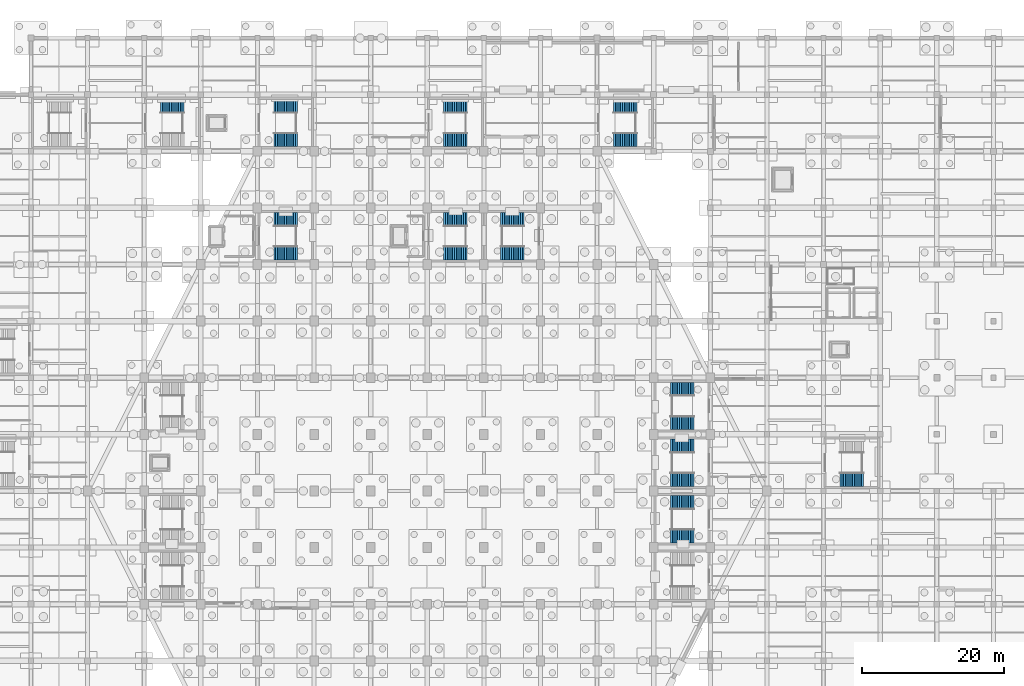
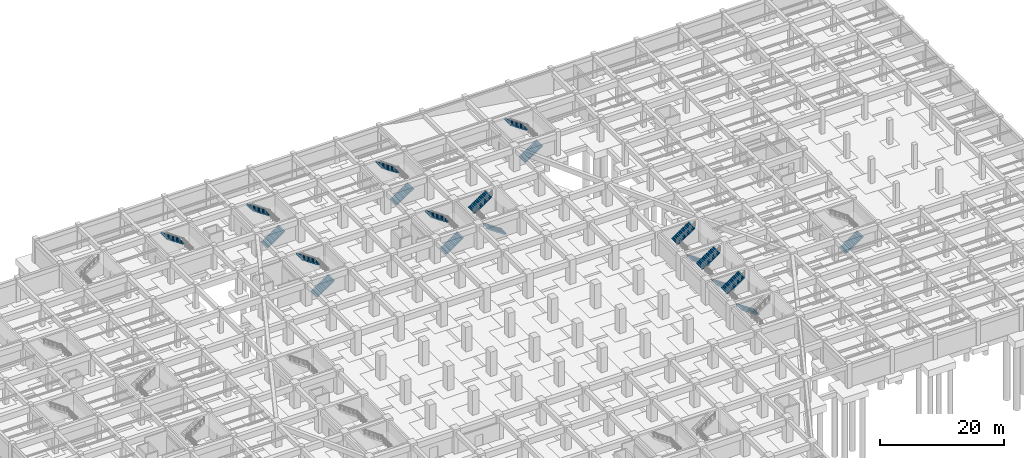
# One storey, part 32 of 36: 20 stair flights, 11 elements without a shape of their own.
"""IFC4 building model written with IfcOpenShell, lengths in metres."""

from ifc_helpers import new_model, si_unit, direction, frame, origin, place, context, subcontext, project, spatial, polyline, outline, extrude, material, type_object, element, aggregate, save


model = new_model("IFC4")

# Units and contexts
model_context = context("Model", 3, precision=1e-05, world=origin(), true_north=direction((0.0, 1.0)))
body_context = subcontext(model_context, "Body", "Model", "MODEL_VIEW")
ifc_project = project(units=[si_unit("LENGTHUNIT", "METRE"), si_unit("AREAUNIT", "SQUARE_METRE"), si_unit("VOLUMEUNIT", "CUBIC_METRE"), si_unit("PLANEANGLEUNIT", "RADIAN"), si_unit("MASSUNIT", "GRAM", prefix="KILO")], contexts=[model_context])

# Site, building, storey
site_placement = place(None, origin())
site = spatial("IfcSite", under=ifc_project, at=site_placement, CompositionType="ELEMENT")
building_placement = place(site_placement, origin())
building = spatial("IfcBuilding", under=site, at=building_placement, Name="Tazarka Park Arena", CompositionType="ELEMENT")
storey_placement = place(building_placement, frame((0.0, 0.0, -4.800048828125)))
storey = spatial("IfcBuildingStorey", under=building, at=storey_placement, Name="B1", CompositionType="ELEMENT", Elevation=-4.800048828125)

# Stair, stair flight
ifc_material_1 = material(Name="Precast concrete C40/50", Category="concrete")
stair_type_1 = type_object("IfcStairType", Name="STR-2400", PredefinedType="HALF_TURN_STAIR", material=ifc_material_1)
stair_1_placement = place(storey_placement, origin())
stair_1 = element("IfcStair", 1, at=stair_1_placement, inside=storey, type_object=stair_type_1, Name="Stair ST05 B1", PredefinedType="HALF_TURN_STAIR")
ifc_material_2 = material(Name="Precast concrete C40/50", Category="concrete")
stair_flight_type_1 = type_object("IfcStairFlightType", Name="FLT-1350", PredefinedType="STRAIGHT", material=ifc_material_2)
stair_flight_1_placement = place(storey_placement, frame((53.6298828125, 118.3701171875, 2.400146484375), z_axis=(0.0, 0.0, 1.0), x_axis=(-1.0, 0.0, 0.0)))
stair_flight_1 = element("IfcStairFlight", 2, at=stair_flight_1_placement, type_object=stair_flight_type_1, Name="ST05-B1 flight 2", NumberOfRisers=14, NumberOfTreads=13, PredefinedType="STRAIGHT", RiserHeight=0.171429, TreadLength=0.255, context=body_context, shape_type="SweptSolid", body=[
    extrude(outline(polyline([(0.0, 0.0), (0.0, 0.17138671875), (0.2548828125, 0.17138671875), (0.2548828125, 0.3427734375), (0.510009765625, 0.3427734375), (0.510009765625, 0.514404296875), (0.764892578125, 0.514404296875), (0.764892578125, 0.685791015625), (1.02001953125, 0.685791015625), (1.02001953125, 0.857177734375), (1.27490234375, 0.857177734375), (1.27490234375, 1.028564453125), (1.530029296875, 1.028564453125), (1.530029296875, 1.199951171875), (1.784912109375, 1.199951171875), (1.784912109375, 1.371337890625), (2.0400390625, 1.371337890625), (2.0400390625, 1.54296875), (2.294921875, 1.54296875), (2.294921875, 1.71435546875), (2.550048828125, 1.71435546875), (2.550048828125, 1.8857421875), (2.804931640625, 1.8857421875), (2.804931640625, 2.05712890625), (3.06005859375, 2.05712890625), (3.06005859375, 2.228515625), (3.31494140625, 2.228515625), (3.31494140625, 2.39990234375), (3.31494140625, 2.01171875), (0.322509765625, 0.0), (0.0, 0.0)])), frame((0.0, 0.969970703125, 0.0), z_axis=(0.0, -1.0, 0.0), x_axis=(1.0, 0.0, 0.0)), (0.0, 0.0, 1.0), 1.93994140625),
])
aggregate(stair_1, [stair_flight_1])

# Stair, stair flights
stair_2_placement = place(storey_placement, origin())
stair_2 = element("IfcStair", 3, at=stair_2_placement, inside=storey, type_object=stair_type_1, Name="Stair ST06 B1", PredefinedType="HALF_TURN_STAIR")
stair_flight_2_placement = place(storey_placement, frame((66.31494140625, 113.6298828125, 0.0), z_axis=(0.0, 0.0, 1.0), x_axis=(1.0, 0.0, 0.0)))
stair_flight_2 = element("IfcStairFlight", 4, at=stair_flight_2_placement, type_object=stair_flight_type_1, Name="ST06-B1 flight 1", NumberOfRisers=14, NumberOfTreads=13, PredefinedType="STRAIGHT", RiserHeight=0.171429, TreadLength=0.255, context=body_context, shape_type="SweptSolid", body=[
    extrude(outline(polyline([(0.0, 0.0), (0.0, 0.17138671875), (0.2548828125, 0.17138671875), (0.2548828125, 0.3427734375), (0.510009765625, 0.3427734375), (0.510009765625, 0.514404296875), (0.764892578125, 0.514404296875), (0.764892578125, 0.685791015625), (1.02001953125, 0.685791015625), (1.02001953125, 0.857177734375), (1.27490234375, 0.857177734375), (1.27490234375, 1.028564453125), (1.530029296875, 1.028564453125), (1.530029296875, 1.199951171875), (1.784912109375, 1.199951171875), (1.784912109375, 1.371337890625), (2.0400390625, 1.371337890625), (2.0400390625, 1.54296875), (2.294921875, 1.54296875), (2.294921875, 1.71435546875), (2.550048828125, 1.71435546875), (2.550048828125, 1.8857421875), (2.804931640625, 1.8857421875), (2.804931640625, 2.05712890625), (3.06005859375, 2.05712890625), (3.06005859375, 2.228515625), (3.31494140625, 2.228515625), (3.31494140625, 2.39990234375), (3.31494140625, 2.01171875), (0.322509765625, 0.0), (0.0, 0.0)])), frame((0.0, 0.969970703125, 0.0), z_axis=(0.0, -1.0, 0.0), x_axis=(1.0, 0.0, 0.0)), (0.0, 0.0, 1.0), 1.93994140625),
])
stair_flight_3_placement = place(storey_placement, frame((69.6298828125, 118.3701171875, 2.400146484375), z_axis=(0.0, 0.0, 1.0), x_axis=(-1.0, 0.0, 0.0)))
stair_flight_3 = element("IfcStairFlight", 5, at=stair_flight_3_placement, type_object=stair_flight_type_1, Name="ST06-B1 flight 2", NumberOfRisers=14, NumberOfTreads=13, PredefinedType="STRAIGHT", RiserHeight=0.171429, TreadLength=0.255, context=body_context, shape_type="SweptSolid", body=[
    extrude(outline(polyline([(0.0, 0.0), (0.0, 0.17138671875), (0.2548828125, 0.17138671875), (0.2548828125, 0.3427734375), (0.510009765625, 0.3427734375), (0.510009765625, 0.514404296875), (0.764892578125, 0.514404296875), (0.764892578125, 0.685791015625), (1.02001953125, 0.685791015625), (1.02001953125, 0.857177734375), (1.27490234375, 0.857177734375), (1.27490234375, 1.028564453125), (1.530029296875, 1.028564453125), (1.530029296875, 1.199951171875), (1.784912109375, 1.199951171875), (1.784912109375, 1.371337890625), (2.0400390625, 1.371337890625), (2.0400390625, 1.54296875), (2.294921875, 1.54296875), (2.294921875, 1.71435546875), (2.550048828125, 1.71435546875), (2.550048828125, 1.8857421875), (2.804931640625, 1.8857421875), (2.804931640625, 2.05712890625), (3.06005859375, 2.05712890625), (3.06005859375, 2.228515625), (3.31494140625, 2.228515625), (3.31494140625, 2.39990234375), (3.31494140625, 2.01171875), (0.322509765625, 0.0), (0.0, 0.0)])), frame((0.0, 0.969970703125, 0.0), z_axis=(0.0, -1.0, 0.0), x_axis=(1.0, 0.0, 0.0)), (0.0, 0.0, 1.0), 1.93994140625),
])
aggregate(stair_2, [stair_flight_2, stair_flight_3])

stair_3_placement = place(storey_placement, origin())
stair_3 = element("IfcStair", 6, at=stair_3_placement, inside=storey, type_object=stair_type_1, Name="Stair ST07 B1", PredefinedType="HALF_TURN_STAIR")
stair_flight_4_placement = place(storey_placement, frame((90.31494140625, 113.6298828125, 0.0), z_axis=(0.0, 0.0, 1.0), x_axis=(1.0, 0.0, 0.0)))
stair_flight_4 = element("IfcStairFlight", 7, at=stair_flight_4_placement, type_object=stair_flight_type_1, Name="ST07-B1 flight 1", NumberOfRisers=14, NumberOfTreads=13, PredefinedType="STRAIGHT", RiserHeight=0.171429, TreadLength=0.255, context=body_context, shape_type="SweptSolid", body=[
    extrude(outline(polyline([(0.0, 0.0), (0.0, 0.17138671875), (0.2548828125, 0.17138671875), (0.2548828125, 0.3427734375), (0.510009765625, 0.3427734375), (0.510009765625, 0.514404296875), (0.764892578125, 0.514404296875), (0.764892578125, 0.685791015625), (1.02001953125, 0.685791015625), (1.02001953125, 0.857177734375), (1.27490234375, 0.857177734375), (1.27490234375, 1.028564453125), (1.530029296875, 1.028564453125), (1.530029296875, 1.199951171875), (1.784912109375, 1.199951171875), (1.784912109375, 1.371337890625), (2.0400390625, 1.371337890625), (2.0400390625, 1.54296875), (2.294921875, 1.54296875), (2.294921875, 1.71435546875), (2.550048828125, 1.71435546875), (2.550048828125, 1.8857421875), (2.804931640625, 1.8857421875), (2.804931640625, 2.05712890625), (3.06005859375, 2.05712890625), (3.06005859375, 2.228515625), (3.31494140625, 2.228515625), (3.31494140625, 2.39990234375), (3.31494140625, 2.01171875), (0.322509765625, 0.0), (0.0, 0.0)])), frame((0.0, 0.969970703125, 0.0), z_axis=(0.0, -1.0, 0.0), x_axis=(1.0, 0.0, 0.0)), (0.0, 0.0, 1.0), 1.93994140625),
])
stair_flight_5_placement = place(storey_placement, frame((93.6298828125, 118.3701171875, 2.400146484375), z_axis=(0.0, 0.0, 1.0), x_axis=(-1.0, 0.0, 0.0)))
stair_flight_5 = element("IfcStairFlight", 8, at=stair_flight_5_placement, type_object=stair_flight_type_1, Name="ST07-B1 flight 2", NumberOfRisers=14, NumberOfTreads=13, PredefinedType="STRAIGHT", RiserHeight=0.171429, TreadLength=0.255, context=body_context, shape_type="SweptSolid", body=[
    extrude(outline(polyline([(0.0, 0.0), (0.0, 0.17138671875), (0.2548828125, 0.17138671875), (0.2548828125, 0.3427734375), (0.510009765625, 0.3427734375), (0.510009765625, 0.514404296875), (0.764892578125, 0.514404296875), (0.764892578125, 0.685791015625), (1.02001953125, 0.685791015625), (1.02001953125, 0.857177734375), (1.27490234375, 0.857177734375), (1.27490234375, 1.028564453125), (1.530029296875, 1.028564453125), (1.530029296875, 1.199951171875), (1.784912109375, 1.199951171875), (1.784912109375, 1.371337890625), (2.0400390625, 1.371337890625), (2.0400390625, 1.54296875), (2.294921875, 1.54296875), (2.294921875, 1.71435546875), (2.550048828125, 1.71435546875), (2.550048828125, 1.8857421875), (2.804931640625, 1.8857421875), (2.804931640625, 2.05712890625), (3.06005859375, 2.05712890625), (3.06005859375, 2.228515625), (3.31494140625, 2.228515625), (3.31494140625, 2.39990234375), (3.31494140625, 2.01171875), (0.322509765625, 0.0), (0.0, 0.0)])), frame((0.0, 0.969970703125, 0.0), z_axis=(0.0, -1.0, 0.0), x_axis=(1.0, 0.0, 0.0)), (0.0, 0.0, 1.0), 1.93994140625),
])
aggregate(stair_3, [stair_flight_4, stair_flight_5])

stair_4_placement = place(storey_placement, origin())
stair_4 = element("IfcStair", 9, at=stair_4_placement, inside=storey, type_object=stair_type_1, Name="Stair ST08 B1", PredefinedType="HALF_TURN_STAIR")
stair_flight_6_placement = place(storey_placement, frame((114.31494140625, 113.6298828125, 0.0), z_axis=(0.0, 0.0, 1.0), x_axis=(1.0, 0.0, 0.0)))
stair_flight_6 = element("IfcStairFlight", 10, at=stair_flight_6_placement, type_object=stair_flight_type_1, Name="ST08-B1 flight 1", NumberOfRisers=14, NumberOfTreads=13, PredefinedType="STRAIGHT", RiserHeight=0.171429, TreadLength=0.255, context=body_context, shape_type="SweptSolid", body=[
    extrude(outline(polyline([(0.0, 0.0), (0.0, 0.17138671875), (0.2548828125, 0.17138671875), (0.2548828125, 0.3427734375), (0.510009765625, 0.3427734375), (0.510009765625, 0.514404296875), (0.764892578125, 0.514404296875), (0.764892578125, 0.685791015625), (1.02001953125, 0.685791015625), (1.02001953125, 0.857177734375), (1.27490234375, 0.857177734375), (1.27490234375, 1.028564453125), (1.530029296875, 1.028564453125), (1.530029296875, 1.199951171875), (1.784912109375, 1.199951171875), (1.784912109375, 1.371337890625), (2.0400390625, 1.371337890625), (2.0400390625, 1.54296875), (2.294921875, 1.54296875), (2.294921875, 1.71435546875), (2.550048828125, 1.71435546875), (2.550048828125, 1.8857421875), (2.804931640625, 1.8857421875), (2.804931640625, 2.05712890625), (3.06005859375, 2.05712890625), (3.06005859375, 2.228515625), (3.31494140625, 2.228515625), (3.31494140625, 2.39990234375), (3.31494140625, 2.01171875), (0.322509765625, 0.0), (0.0, 0.0)])), frame((0.0, 0.969970703125, 0.0), z_axis=(0.0, -1.0, 0.0), x_axis=(1.0, 0.0, 0.0)), (0.0, 0.0, 1.0), 1.93994140625),
])
stair_flight_7_placement = place(storey_placement, frame((117.6298828125, 118.3701171875, 2.400146484375), z_axis=(0.0, 0.0, 1.0), x_axis=(-1.0, 0.0, 0.0)))
stair_flight_7 = element("IfcStairFlight", 11, at=stair_flight_7_placement, type_object=stair_flight_type_1, Name="ST08-B1 flight 2", NumberOfRisers=14, NumberOfTreads=13, PredefinedType="STRAIGHT", RiserHeight=0.171429, TreadLength=0.255, context=body_context, shape_type="SweptSolid", body=[
    extrude(outline(polyline([(0.0, 0.0), (0.0, 0.17138671875), (0.2548828125, 0.17138671875), (0.2548828125, 0.3427734375), (0.510009765625, 0.3427734375), (0.510009765625, 0.514404296875), (0.764892578125, 0.514404296875), (0.764892578125, 0.685791015625), (1.02001953125, 0.685791015625), (1.02001953125, 0.857177734375), (1.27490234375, 0.857177734375), (1.27490234375, 1.028564453125), (1.530029296875, 1.028564453125), (1.530029296875, 1.199951171875), (1.784912109375, 1.199951171875), (1.784912109375, 1.371337890625), (2.0400390625, 1.371337890625), (2.0400390625, 1.54296875), (2.294921875, 1.54296875), (2.294921875, 1.71435546875), (2.550048828125, 1.71435546875), (2.550048828125, 1.8857421875), (2.804931640625, 1.8857421875), (2.804931640625, 2.05712890625), (3.06005859375, 2.05712890625), (3.06005859375, 2.228515625), (3.31494140625, 2.228515625), (3.31494140625, 2.39990234375), (3.31494140625, 2.01171875), (0.322509765625, 0.0), (0.0, 0.0)])), frame((0.0, 0.969970703125, 0.0), z_axis=(0.0, -1.0, 0.0), x_axis=(1.0, 0.0, 0.0)), (0.0, 0.0, 1.0), 1.93994140625),
])
aggregate(stair_4, [stair_flight_6, stair_flight_7])

stair_5_placement = place(storey_placement, origin())
stair_5 = element("IfcStair", 12, at=stair_5_placement, inside=storey, type_object=stair_type_1, Name="Stair ST10 B1", PredefinedType="HALF_TURN_STAIR")
stair_flight_8_placement = place(storey_placement, frame((101.68505859375, 97.6298828125, 0.0), z_axis=(0.0, 0.0, 1.0), x_axis=(-1.0, 0.0, 0.0)))
stair_flight_8 = element("IfcStairFlight", 13, at=stair_flight_8_placement, type_object=stair_flight_type_1, Name="ST10-B1 flight 1", NumberOfRisers=14, NumberOfTreads=13, PredefinedType="STRAIGHT", RiserHeight=0.171429, TreadLength=0.255, context=body_context, shape_type="SweptSolid", body=[
    extrude(outline(polyline([(0.0, 0.0), (0.0, 0.17138671875), (0.2548828125, 0.17138671875), (0.2548828125, 0.3427734375), (0.510009765625, 0.3427734375), (0.510009765625, 0.514404296875), (0.764892578125, 0.514404296875), (0.764892578125, 0.685791015625), (1.02001953125, 0.685791015625), (1.02001953125, 0.857177734375), (1.27490234375, 0.857177734375), (1.27490234375, 1.028564453125), (1.530029296875, 1.028564453125), (1.530029296875, 1.199951171875), (1.784912109375, 1.199951171875), (1.784912109375, 1.371337890625), (2.0400390625, 1.371337890625), (2.0400390625, 1.54296875), (2.294921875, 1.54296875), (2.294921875, 1.71435546875), (2.550048828125, 1.71435546875), (2.550048828125, 1.8857421875), (2.804931640625, 1.8857421875), (2.804931640625, 2.05712890625), (3.06005859375, 2.05712890625), (3.06005859375, 2.228515625), (3.31494140625, 2.228515625), (3.31494140625, 2.39990234375), (3.31494140625, 2.01171875), (0.322509765625, 0.0), (0.0, 0.0)])), frame((0.0, 0.969970703125, 0.0), z_axis=(0.0, -1.0, 0.0), x_axis=(1.0, 0.0, 0.0)), (0.0, 0.0, 1.0), 1.93994140625),
])
stair_flight_9_placement = place(storey_placement, frame((98.3701171875, 102.3701171875, 2.400146484375), z_axis=(0.0, 0.0, 1.0), x_axis=(1.0, 0.0, 0.0)))
stair_flight_9 = element("IfcStairFlight", 14, at=stair_flight_9_placement, type_object=stair_flight_type_1, Name="ST10-B1 flight 2", NumberOfRisers=14, NumberOfTreads=13, PredefinedType="STRAIGHT", RiserHeight=0.171429, TreadLength=0.255, context=body_context, shape_type="SweptSolid", body=[
    extrude(outline(polyline([(0.0, 0.0), (0.0, 0.17138671875), (0.2548828125, 0.17138671875), (0.2548828125, 0.3427734375), (0.510009765625, 0.3427734375), (0.510009765625, 0.514404296875), (0.764892578125, 0.514404296875), (0.764892578125, 0.685791015625), (1.02001953125, 0.685791015625), (1.02001953125, 0.857177734375), (1.27490234375, 0.857177734375), (1.27490234375, 1.028564453125), (1.530029296875, 1.028564453125), (1.530029296875, 1.199951171875), (1.784912109375, 1.199951171875), (1.784912109375, 1.371337890625), (2.0400390625, 1.371337890625), (2.0400390625, 1.54296875), (2.294921875, 1.54296875), (2.294921875, 1.71435546875), (2.550048828125, 1.71435546875), (2.550048828125, 1.8857421875), (2.804931640625, 1.8857421875), (2.804931640625, 2.05712890625), (3.06005859375, 2.05712890625), (3.06005859375, 2.228515625), (3.31494140625, 2.228515625), (3.31494140625, 2.39990234375), (3.31494140625, 2.01171875), (0.322509765625, 0.0), (0.0, 0.0)])), frame((0.0, 0.969970703125, 0.0), z_axis=(0.0, -1.0, 0.0), x_axis=(1.0, 0.0, 0.0)), (0.0, 0.0, 1.0), 1.93994140625),
])
aggregate(stair_5, [stair_flight_8, stair_flight_9])

stair_6_placement = place(storey_placement, origin())
stair_6 = element("IfcStair", 15, at=stair_6_placement, inside=storey, type_object=stair_type_1, Name="Stair ST12 B1", PredefinedType="HALF_TURN_STAIR")
stair_flight_10_placement = place(storey_placement, frame((125.68505859375, 57.6298828125, 0.0), z_axis=(0.0, 0.0, 1.0), x_axis=(-1.0, 0.0, 0.0)))
stair_flight_10 = element("IfcStairFlight", 16, at=stair_flight_10_placement, type_object=stair_flight_type_1, Name="ST12-B1 flight 1", NumberOfRisers=14, NumberOfTreads=13, PredefinedType="STRAIGHT", RiserHeight=0.171429, TreadLength=0.255, context=body_context, shape_type="SweptSolid", body=[
    extrude(outline(polyline([(0.0, 0.0), (0.0, 0.17138671875), (0.2548828125, 0.17138671875), (0.2548828125, 0.3427734375), (0.510009765625, 0.3427734375), (0.510009765625, 0.514404296875), (0.764892578125, 0.514404296875), (0.764892578125, 0.685791015625), (1.02001953125, 0.685791015625), (1.02001953125, 0.857177734375), (1.27490234375, 0.857177734375), (1.27490234375, 1.028564453125), (1.530029296875, 1.028564453125), (1.530029296875, 1.199951171875), (1.784912109375, 1.199951171875), (1.784912109375, 1.371337890625), (2.0400390625, 1.371337890625), (2.0400390625, 1.54296875), (2.294921875, 1.54296875), (2.294921875, 1.71435546875), (2.550048828125, 1.71435546875), (2.550048828125, 1.8857421875), (2.804931640625, 1.8857421875), (2.804931640625, 2.05712890625), (3.06005859375, 2.05712890625), (3.06005859375, 2.228515625), (3.31494140625, 2.228515625), (3.31494140625, 2.39990234375), (3.31494140625, 2.01171875), (0.322509765625, 0.0), (0.0, 0.0)])), frame((0.0, 0.969970703125, 0.0), z_axis=(0.0, -1.0, 0.0), x_axis=(1.0, 0.0, 0.0)), (0.0, 0.0, 1.0), 1.93994140625),
])
stair_flight_11_placement = place(storey_placement, frame((122.3701171875, 62.3701171875, 2.400146484375), z_axis=(0.0, 0.0, 1.0), x_axis=(1.0, 0.0, 0.0)))
stair_flight_11 = element("IfcStairFlight", 17, at=stair_flight_11_placement, type_object=stair_flight_type_1, Name="ST12-B1 flight 2", NumberOfRisers=14, NumberOfTreads=13, PredefinedType="STRAIGHT", RiserHeight=0.171429, TreadLength=0.255, context=body_context, shape_type="SweptSolid", body=[
    extrude(outline(polyline([(0.0, 0.0), (0.0, 0.17138671875), (0.2548828125, 0.17138671875), (0.2548828125, 0.3427734375), (0.510009765625, 0.3427734375), (0.510009765625, 0.514404296875), (0.764892578125, 0.514404296875), (0.764892578125, 0.685791015625), (1.02001953125, 0.685791015625), (1.02001953125, 0.857177734375), (1.27490234375, 0.857177734375), (1.27490234375, 1.028564453125), (1.530029296875, 1.028564453125), (1.530029296875, 1.199951171875), (1.784912109375, 1.199951171875), (1.784912109375, 1.371337890625), (2.0400390625, 1.371337890625), (2.0400390625, 1.54296875), (2.294921875, 1.54296875), (2.294921875, 1.71435546875), (2.550048828125, 1.71435546875), (2.550048828125, 1.8857421875), (2.804931640625, 1.8857421875), (2.804931640625, 2.05712890625), (3.06005859375, 2.05712890625), (3.06005859375, 2.228515625), (3.31494140625, 2.228515625), (3.31494140625, 2.39990234375), (3.31494140625, 2.01171875), (0.322509765625, 0.0), (0.0, 0.0)])), frame((0.0, 0.969970703125, 0.0), z_axis=(0.0, -1.0, 0.0), x_axis=(1.0, 0.0, 0.0)), (0.0, 0.0, 1.0), 1.93994140625),
])
aggregate(stair_6, [stair_flight_10, stair_flight_11])

stair_7_placement = place(storey_placement, origin())
stair_7 = element("IfcStair", 18, at=stair_7_placement, inside=storey, type_object=stair_type_1, Name="Stair ST14 B1", PredefinedType="HALF_TURN_STAIR")
stair_flight_12_placement = place(storey_placement, frame((66.31494140625, 97.6298828125, 0.0), z_axis=(0.0, 0.0, 1.0), x_axis=(1.0, 0.0, 0.0)))
stair_flight_12 = element("IfcStairFlight", 19, at=stair_flight_12_placement, type_object=stair_flight_type_1, Name="ST14-B1 flight 1", NumberOfRisers=14, NumberOfTreads=13, PredefinedType="STRAIGHT", RiserHeight=0.171429, TreadLength=0.255, context=body_context, shape_type="SweptSolid", body=[
    extrude(outline(polyline([(0.0, 0.0), (0.0, 0.17138671875), (0.2548828125, 0.17138671875), (0.2548828125, 0.3427734375), (0.510009765625, 0.3427734375), (0.510009765625, 0.514404296875), (0.764892578125, 0.514404296875), (0.764892578125, 0.685791015625), (1.02001953125, 0.685791015625), (1.02001953125, 0.857177734375), (1.27490234375, 0.857177734375), (1.27490234375, 1.028564453125), (1.530029296875, 1.028564453125), (1.530029296875, 1.199951171875), (1.784912109375, 1.199951171875), (1.784912109375, 1.371337890625), (2.0400390625, 1.371337890625), (2.0400390625, 1.54296875), (2.294921875, 1.54296875), (2.294921875, 1.71435546875), (2.550048828125, 1.71435546875), (2.550048828125, 1.8857421875), (2.804931640625, 1.8857421875), (2.804931640625, 2.05712890625), (3.06005859375, 2.05712890625), (3.06005859375, 2.228515625), (3.31494140625, 2.228515625), (3.31494140625, 2.39990234375), (3.31494140625, 2.01171875), (0.322509765625, 0.0), (0.0, 0.0)])), frame((0.0, 0.969970703125, 0.0), z_axis=(0.0, -1.0, 0.0), x_axis=(1.0, 0.0, 0.0)), (0.0, 0.0, 1.0), 1.93994140625),
])
stair_flight_13_placement = place(storey_placement, frame((69.6298828125, 102.3701171875, 2.400146484375), z_axis=(0.0, 0.0, 1.0), x_axis=(-1.0, 0.0, 0.0)))
stair_flight_13 = element("IfcStairFlight", 20, at=stair_flight_13_placement, type_object=stair_flight_type_1, Name="ST14-B1 flight 2", NumberOfRisers=14, NumberOfTreads=13, PredefinedType="STRAIGHT", RiserHeight=0.171429, TreadLength=0.255, context=body_context, shape_type="SweptSolid", body=[
    extrude(outline(polyline([(0.0, 0.0), (0.0, 0.17138671875), (0.2548828125, 0.17138671875), (0.2548828125, 0.3427734375), (0.510009765625, 0.3427734375), (0.510009765625, 0.514404296875), (0.764892578125, 0.514404296875), (0.764892578125, 0.685791015625), (1.02001953125, 0.685791015625), (1.02001953125, 0.857177734375), (1.27490234375, 0.857177734375), (1.27490234375, 1.028564453125), (1.530029296875, 1.028564453125), (1.530029296875, 1.199951171875), (1.784912109375, 1.199951171875), (1.784912109375, 1.371337890625), (2.0400390625, 1.371337890625), (2.0400390625, 1.54296875), (2.294921875, 1.54296875), (2.294921875, 1.71435546875), (2.550048828125, 1.71435546875), (2.550048828125, 1.8857421875), (2.804931640625, 1.8857421875), (2.804931640625, 2.05712890625), (3.06005859375, 2.05712890625), (3.06005859375, 2.228515625), (3.31494140625, 2.228515625), (3.31494140625, 2.39990234375), (3.31494140625, 2.01171875), (0.322509765625, 0.0), (0.0, 0.0)])), frame((0.0, 0.969970703125, 0.0), z_axis=(0.0, -1.0, 0.0), x_axis=(1.0, 0.0, 0.0)), (0.0, 0.0, 1.0), 1.93994140625),
])
aggregate(stair_7, [stair_flight_12, stair_flight_13])

stair_8_placement = place(storey_placement, origin())
stair_8 = element("IfcStair", 21, at=stair_8_placement, inside=storey, type_object=stair_type_1, Name="Stair ST15 B1", PredefinedType="HALF_TURN_STAIR")
stair_flight_14_placement = place(storey_placement, frame((90.31494140625, 97.6298828125, 0.0), z_axis=(0.0, 0.0, 1.0), x_axis=(1.0, 0.0, 0.0)))
stair_flight_14 = element("IfcStairFlight", 22, at=stair_flight_14_placement, type_object=stair_flight_type_1, Name="ST15-B1 flight 1", NumberOfRisers=14, NumberOfTreads=13, PredefinedType="STRAIGHT", RiserHeight=0.171429, TreadLength=0.255, context=body_context, shape_type="SweptSolid", body=[
    extrude(outline(polyline([(0.0, 0.0), (0.0, 0.17138671875), (0.2548828125, 0.17138671875), (0.2548828125, 0.3427734375), (0.510009765625, 0.3427734375), (0.510009765625, 0.514404296875), (0.764892578125, 0.514404296875), (0.764892578125, 0.685791015625), (1.02001953125, 0.685791015625), (1.02001953125, 0.857177734375), (1.27490234375, 0.857177734375), (1.27490234375, 1.028564453125), (1.530029296875, 1.028564453125), (1.530029296875, 1.199951171875), (1.784912109375, 1.199951171875), (1.784912109375, 1.371337890625), (2.0400390625, 1.371337890625), (2.0400390625, 1.54296875), (2.294921875, 1.54296875), (2.294921875, 1.71435546875), (2.550048828125, 1.71435546875), (2.550048828125, 1.8857421875), (2.804931640625, 1.8857421875), (2.804931640625, 2.05712890625), (3.06005859375, 2.05712890625), (3.06005859375, 2.228515625), (3.31494140625, 2.228515625), (3.31494140625, 2.39990234375), (3.31494140625, 2.01171875), (0.322509765625, 0.0), (0.0, 0.0)])), frame((0.0, 0.969970703125, 0.0), z_axis=(0.0, -1.0, 0.0), x_axis=(1.0, 0.0, 0.0)), (0.0, 0.0, 1.0), 1.93994140625),
])
stair_flight_15_placement = place(storey_placement, frame((93.6298828125, 102.3701171875, 2.400146484375), z_axis=(0.0, 0.0, 1.0), x_axis=(-1.0, 0.0, 0.0)))
stair_flight_15 = element("IfcStairFlight", 23, at=stair_flight_15_placement, type_object=stair_flight_type_1, Name="ST15-B1 flight 2", NumberOfRisers=14, NumberOfTreads=13, PredefinedType="STRAIGHT", RiserHeight=0.171429, TreadLength=0.255, context=body_context, shape_type="SweptSolid", body=[
    extrude(outline(polyline([(0.0, 0.0), (0.0, 0.17138671875), (0.2548828125, 0.17138671875), (0.2548828125, 0.3427734375), (0.510009765625, 0.3427734375), (0.510009765625, 0.514404296875), (0.764892578125, 0.514404296875), (0.764892578125, 0.685791015625), (1.02001953125, 0.685791015625), (1.02001953125, 0.857177734375), (1.27490234375, 0.857177734375), (1.27490234375, 1.028564453125), (1.530029296875, 1.028564453125), (1.530029296875, 1.199951171875), (1.784912109375, 1.199951171875), (1.784912109375, 1.371337890625), (2.0400390625, 1.371337890625), (2.0400390625, 1.54296875), (2.294921875, 1.54296875), (2.294921875, 1.71435546875), (2.550048828125, 1.71435546875), (2.550048828125, 1.8857421875), (2.804931640625, 1.8857421875), (2.804931640625, 2.05712890625), (3.06005859375, 2.05712890625), (3.06005859375, 2.228515625), (3.31494140625, 2.228515625), (3.31494140625, 2.39990234375), (3.31494140625, 2.01171875), (0.322509765625, 0.0), (0.0, 0.0)])), frame((0.0, 0.969970703125, 0.0), z_axis=(0.0, -1.0, 0.0), x_axis=(1.0, 0.0, 0.0)), (0.0, 0.0, 1.0), 1.93994140625),
])
aggregate(stair_8, [stair_flight_14, stair_flight_15])

stair_9_placement = place(storey_placement, origin())
stair_9 = element("IfcStair", 24, at=stair_9_placement, inside=storey, type_object=stair_type_1, Name="Stair ST16 B1", PredefinedType="HALF_TURN_STAIR")
stair_flight_16_placement = place(storey_placement, frame((125.68505859375, 65.6298828125, 0.0), z_axis=(0.0, 0.0, 1.0), x_axis=(-1.0, 0.0, 0.0)))
stair_flight_16 = element("IfcStairFlight", 25, at=stair_flight_16_placement, type_object=stair_flight_type_1, Name="ST16-B1 flight 1", NumberOfRisers=14, NumberOfTreads=13, PredefinedType="STRAIGHT", RiserHeight=0.171429, TreadLength=0.255, context=body_context, shape_type="SweptSolid", body=[
    extrude(outline(polyline([(0.0, 0.0), (0.0, 0.17138671875), (0.2548828125, 0.17138671875), (0.2548828125, 0.3427734375), (0.510009765625, 0.3427734375), (0.510009765625, 0.514404296875), (0.764892578125, 0.514404296875), (0.764892578125, 0.685791015625), (1.02001953125, 0.685791015625), (1.02001953125, 0.857177734375), (1.27490234375, 0.857177734375), (1.27490234375, 1.028564453125), (1.530029296875, 1.028564453125), (1.530029296875, 1.199951171875), (1.784912109375, 1.199951171875), (1.784912109375, 1.371337890625), (2.0400390625, 1.371337890625), (2.0400390625, 1.54296875), (2.294921875, 1.54296875), (2.294921875, 1.71435546875), (2.550048828125, 1.71435546875), (2.550048828125, 1.8857421875), (2.804931640625, 1.8857421875), (2.804931640625, 2.05712890625), (3.06005859375, 2.05712890625), (3.06005859375, 2.228515625), (3.31494140625, 2.228515625), (3.31494140625, 2.39990234375), (3.31494140625, 2.01171875), (0.322509765625, 0.0), (0.0, 0.0)])), frame((0.0, 0.969970703125, 0.0), z_axis=(0.0, -1.0, 0.0), x_axis=(1.0, 0.0, 0.0)), (0.0, 0.0, 1.0), 1.93994140625),
])
stair_flight_17_placement = place(storey_placement, frame((122.3701171875, 70.3701171875, 2.400146484375), z_axis=(0.0, 0.0, 1.0), x_axis=(1.0, 0.0, 0.0)))
stair_flight_17 = element("IfcStairFlight", 26, at=stair_flight_17_placement, type_object=stair_flight_type_1, Name="ST16-B1 flight 2", NumberOfRisers=14, NumberOfTreads=13, PredefinedType="STRAIGHT", RiserHeight=0.171429, TreadLength=0.255, context=body_context, shape_type="SweptSolid", body=[
    extrude(outline(polyline([(0.0, 0.0), (0.0, 0.17138671875), (0.2548828125, 0.17138671875), (0.2548828125, 0.3427734375), (0.510009765625, 0.3427734375), (0.510009765625, 0.514404296875), (0.764892578125, 0.514404296875), (0.764892578125, 0.685791015625), (1.02001953125, 0.685791015625), (1.02001953125, 0.857177734375), (1.27490234375, 0.857177734375), (1.27490234375, 1.028564453125), (1.530029296875, 1.028564453125), (1.530029296875, 1.199951171875), (1.784912109375, 1.199951171875), (1.784912109375, 1.371337890625), (2.0400390625, 1.371337890625), (2.0400390625, 1.54296875), (2.294921875, 1.54296875), (2.294921875, 1.71435546875), (2.550048828125, 1.71435546875), (2.550048828125, 1.8857421875), (2.804931640625, 1.8857421875), (2.804931640625, 2.05712890625), (3.06005859375, 2.05712890625), (3.06005859375, 2.228515625), (3.31494140625, 2.228515625), (3.31494140625, 2.39990234375), (3.31494140625, 2.01171875), (0.322509765625, 0.0), (0.0, 0.0)])), frame((0.0, 0.969970703125, 0.0), z_axis=(0.0, -1.0, 0.0), x_axis=(1.0, 0.0, 0.0)), (0.0, 0.0, 1.0), 1.93994140625),
])
aggregate(stair_9, [stair_flight_16, stair_flight_17])

# Stair, stair flight
stair_10_placement = place(storey_placement, origin())
stair_10 = element("IfcStair", 27, at=stair_10_placement, inside=storey, type_object=stair_type_1, Name="Stair ST18 B1", PredefinedType="HALF_TURN_STAIR")
stair_flight_18_placement = place(storey_placement, frame((146.31494140625, 65.6298828125, 0.0), z_axis=(0.0, 0.0, 1.0), x_axis=(1.0, 0.0, 0.0)))
stair_flight_18 = element("IfcStairFlight", 28, at=stair_flight_18_placement, type_object=stair_flight_type_1, Name="ST18-B1 flight 1", NumberOfRisers=14, NumberOfTreads=13, PredefinedType="STRAIGHT", RiserHeight=0.171429, TreadLength=0.255, context=body_context, shape_type="SweptSolid", body=[
    extrude(outline(polyline([(0.0, 0.0), (0.0, 0.17138671875), (0.2548828125, 0.17138671875), (0.2548828125, 0.3427734375), (0.510009765625, 0.3427734375), (0.510009765625, 0.514404296875), (0.764892578125, 0.514404296875), (0.764892578125, 0.685791015625), (1.02001953125, 0.685791015625), (1.02001953125, 0.857177734375), (1.27490234375, 0.857177734375), (1.27490234375, 1.028564453125), (1.530029296875, 1.028564453125), (1.530029296875, 1.199951171875), (1.784912109375, 1.199951171875), (1.784912109375, 1.371337890625), (2.0400390625, 1.371337890625), (2.0400390625, 1.54296875), (2.294921875, 1.54296875), (2.294921875, 1.71435546875), (2.550048828125, 1.71435546875), (2.550048828125, 1.8857421875), (2.804931640625, 1.8857421875), (2.804931640625, 2.05712890625), (3.06005859375, 2.05712890625), (3.06005859375, 2.228515625), (3.31494140625, 2.228515625), (3.31494140625, 2.39990234375), (3.31494140625, 2.01171875), (0.322509765625, 0.0), (0.0, 0.0)])), frame((0.0, 0.969970703125, 0.0), z_axis=(0.0, -1.0, 0.0), x_axis=(1.0, 0.0, 0.0)), (0.0, 0.0, 1.0), 1.93994140625),
])
aggregate(stair_10, [stair_flight_18])

# Stair, stair flights
ifc_material_3 = material(Name="Precast concrete C40/50", Category="concrete")
stair_type_2 = type_object("IfcStairType", Name="STR-1800", PredefinedType="HALF_TURN_STAIR", material=ifc_material_3)
stair_11_placement = place(storey_placement, origin())
stair_11 = element("IfcStair", 29, at=stair_11_placement, inside=storey, type_object=stair_type_2, Name="Vomitory Stair ST22 B1", PredefinedType="HALF_TURN_STAIR")
ifc_material_4 = material(Name="Precast concrete C40/50", Category="concrete")
stair_flight_type_2 = type_object("IfcStairFlightType", Name="FLT-1800", PredefinedType="STRAIGHT", material=ifc_material_4)
stair_flight_19_placement = place(storey_placement, frame((125.68505859375, 73.610107421875, 0.0), z_axis=(0.0, 0.0, 1.0), x_axis=(-1.0, 0.0, 0.0)))
stair_flight_19 = element("IfcStairFlight", 30, at=stair_flight_19_placement, type_object=stair_flight_type_2, Name="ST22-B1 flight 1", NumberOfRisers=14, NumberOfTreads=13, PredefinedType="STRAIGHT", RiserHeight=0.171429, TreadLength=0.255, context=body_context, shape_type="SweptSolid", body=[
    extrude(outline(polyline([(0.0, 0.0), (0.0, 0.17138671875), (0.2548828125, 0.17138671875), (0.2548828125, 0.3427734375), (0.510009765625, 0.3427734375), (0.510009765625, 0.514404296875), (0.764892578125, 0.514404296875), (0.764892578125, 0.685791015625), (1.02001953125, 0.685791015625), (1.02001953125, 0.857177734375), (1.27490234375, 0.857177734375), (1.27490234375, 1.028564453125), (1.530029296875, 1.028564453125), (1.530029296875, 1.199951171875), (1.784912109375, 1.199951171875), (1.784912109375, 1.371337890625), (2.0400390625, 1.371337890625), (2.0400390625, 1.54296875), (2.294921875, 1.54296875), (2.294921875, 1.71435546875), (2.550048828125, 1.71435546875), (2.550048828125, 1.8857421875), (2.804931640625, 1.8857421875), (2.804931640625, 2.05712890625), (3.06005859375, 2.05712890625), (3.06005859375, 2.228515625), (3.31494140625, 2.228515625), (3.31494140625, 2.39990234375), (3.31494140625, 2.01171875), (0.322509765625, 0.0), (0.0, 0.0)])), frame((0.0, 0.949951171875, 0.0), z_axis=(0.0, -1.0, 0.0), x_axis=(1.0, 0.0, 0.0)), (0.0, 0.0, 1.0), 1.89990234375),
])
stair_flight_20_placement = place(storey_placement, frame((122.3701171875, 78.389892578125, 2.400146484375), z_axis=(0.0, 0.0, 1.0), x_axis=(1.0, 0.0, 0.0)))
stair_flight_20 = element("IfcStairFlight", 31, at=stair_flight_20_placement, type_object=stair_flight_type_2, Name="ST22-B1 flight 2", NumberOfRisers=14, NumberOfTreads=13, PredefinedType="STRAIGHT", RiserHeight=0.171429, TreadLength=0.255, context=body_context, shape_type="SweptSolid", body=[
    extrude(outline(polyline([(0.0, 0.0), (0.0, 0.17138671875), (0.2548828125, 0.17138671875), (0.2548828125, 0.3427734375), (0.510009765625, 0.3427734375), (0.510009765625, 0.514404296875), (0.764892578125, 0.514404296875), (0.764892578125, 0.685791015625), (1.02001953125, 0.685791015625), (1.02001953125, 0.857177734375), (1.27490234375, 0.857177734375), (1.27490234375, 1.028564453125), (1.530029296875, 1.028564453125), (1.530029296875, 1.199951171875), (1.784912109375, 1.199951171875), (1.784912109375, 1.371337890625), (2.0400390625, 1.371337890625), (2.0400390625, 1.54296875), (2.294921875, 1.54296875), (2.294921875, 1.71435546875), (2.550048828125, 1.71435546875), (2.550048828125, 1.8857421875), (2.804931640625, 1.8857421875), (2.804931640625, 2.05712890625), (3.06005859375, 2.05712890625), (3.06005859375, 2.228515625), (3.31494140625, 2.228515625), (3.31494140625, 2.39990234375), (3.31494140625, 2.01171875), (0.322509765625, 0.0), (0.0, 0.0)])), frame((0.0, 0.949951171875, 0.0), z_axis=(0.0, -1.0, 0.0), x_axis=(1.0, 0.0, 0.0)), (0.0, 0.0, 1.0), 1.89990234375),
])
aggregate(stair_11, [stair_flight_19, stair_flight_20])

save(model, "model.ifc")
